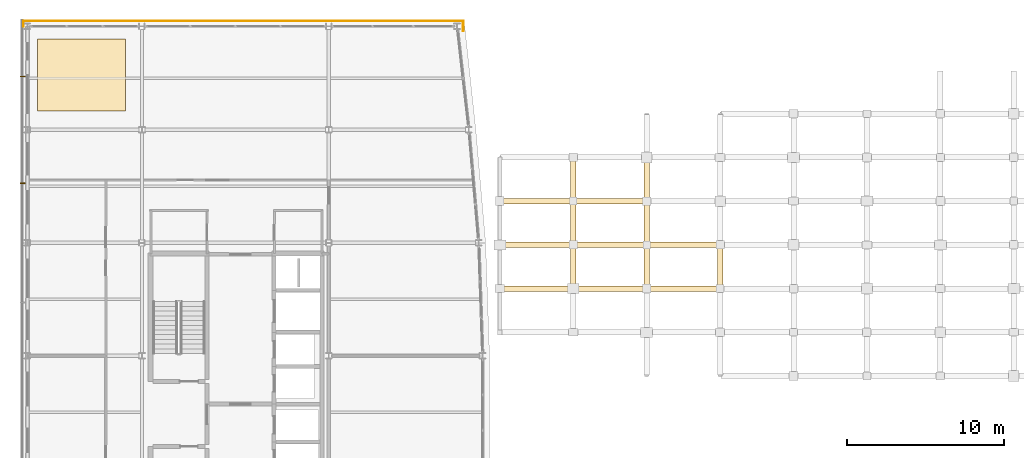
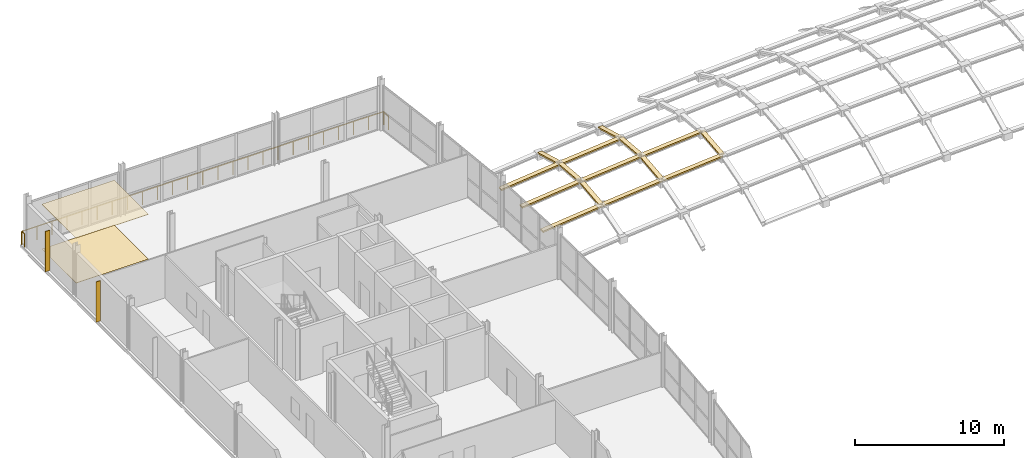
# One storey, part 32 of 36: 17 coverings, 2 shading devices, 1 railing.
"""IFC4 building model written with IfcOpenShell, lengths in metres."""

from ifc_helpers import new_model, si_unit, direction, frame, origin, origin_2d, place, context, subcontext, project, spatial, polyline, rectangle, circle, outline, extrude, material, layer, layer_set, type_object, element, save


model = new_model("IFC4")

# Units and contexts
model_context = context("Model", 3, precision=1e-05, world=origin(), true_north=direction((0.0, 1.0)))
body_context = subcontext(model_context, "Body", "Model", "MODEL_VIEW")
ifc_project = project(units=[si_unit("LENGTHUNIT", "METRE"), si_unit("AREAUNIT", "SQUARE_METRE"), si_unit("VOLUMEUNIT", "CUBIC_METRE"), si_unit("PLANEANGLEUNIT", "RADIAN"), si_unit("MASSUNIT", "GRAM", prefix="KILO")], contexts=[model_context])

# Site, building, storey
site_placement = place(None, origin())
site = spatial("IfcSite", under=ifc_project, at=site_placement, CompositionType="ELEMENT")
building_placement = place(site_placement, origin())
building = spatial("IfcBuilding", under=site, at=building_placement, Name="Quillay Park Conservatory", CompositionType="ELEMENT")
storey_placement = place(building_placement, frame((0.0, 0.0, 18.300048828125)))
storey = spatial("IfcBuildingStorey", under=building, at=storey_placement, Name="L04", CompositionType="ELEMENT", Elevation=18.300048828125)

# Coverings
ifc_material_1 = material(Name="Perforated Mineral-Fibre Acoustic Ceiling")
ifc_layer_1 = layer(ifc_material_1, 0.02490234375)
ifc_layer_set_1 = layer_set([ifc_layer_1], Name="ACOUSTIC MINERAL CEILING 25 (Perforated Mineral-Fibre Acoustic Ceiling)")
covering_type_1 = type_object("IfcCoveringType", Name="ACOUSTIC MINERAL CEILING 25", PredefinedType="CEILING", material=ifc_layer_set_1)
covering_1_placement = place(storey_placement, frame((0.0, 0.0, 3.661865234375)))
element("IfcCovering", 1, at=covering_1_placement, inside=storey, type_object=covering_type_1, Name="L04 Suspended Acoustic Ceiling", PredefinedType="CEILING", context=body_context, shape_type="SweptSolid", body=[
    extrude(outline(polyline([(1.199951171875, 108.0), (6.800048828125, 108.0), (6.800048828125, 112.60009765625), (1.199951171875, 112.60009765625), (1.199951171875, 108.0)])), origin(), (0.0, 0.0, 1.0), 0.025146484375),
])
ifc_material_2 = material(Name="Thermally Broken Anodised Aluminium 6063-T6", Category="aluminium")
ifc_layer_2 = layer(ifc_material_2, 0.090087890625)
ifc_layer_set_2 = layer_set([ifc_layer_2], Name="GRIDSHELL GLAZING CAP BAR 90 (Thermally Broken Anodised Aluminium 6063-T6)")
covering_type_2 = type_object("IfcCoveringType", Name="GRIDSHELL GLAZING CAP BAR 90", PredefinedType="CLADDING", material=ifc_layer_set_2)
covering_2_placement = place(storey_placement, frame((35.15283203125, 96.739990234375, 1.37841796875), z_axis=(0.0, -0.105607242225, 0.994407919513), x_axis=(1.0, 0.0, 0.0)))
element("IfcCovering", 2, at=covering_2_placement, inside=storey, type_object=covering_type_2, Name="Gridshell Transverse Glazing Cap Bar 01-04", PredefinedType="CLADDING", context=body_context, shape_type="SweptSolid", body=[
    extrude(outline(polyline([(0.0, 0.0), (0.349853515625, 0.0), (0.349853515625, 2.7001580951464286), (0.0, 2.7001580951464286), (0.0, 0.0)])), origin(), (0.0, 0.0, -1.0), 0.1201171875),
])
covering_3_placement = place(storey_placement, frame((35.15283203125, 99.52490234375, 1.66357421875), z_axis=(0.0, 0.086957947249, 0.996211983169), x_axis=(1.0, 0.0, 0.0)))
element("IfcCovering", 3, at=covering_3_placement, inside=storey, type_object=covering_type_2, Name="Gridshell Transverse Glazing Cap Bar 01-05", PredefinedType="CLADDING", context=body_context, shape_type="SweptSolid", body=[
    extrude(outline(polyline([(0.0, 0.0), (0.349853515625, 0.0), (0.349853515625, 2.6952683154921195), (0.0, 2.6952683154921195), (0.0, 0.0)])), origin(), (0.0, 0.0, -1.0), 0.1201171875),
])
covering_4_placement = place(storey_placement, frame((35.15283203125, 102.31005859375, 1.40966796875), z_axis=(0.0, 0.271622278609, 0.962403936901), x_axis=(1.0, 0.0, 0.0)))
element("IfcCovering", 4, at=covering_4_placement, inside=storey, type_object=covering_type_2, Name="Gridshell Transverse Glazing Cap Bar 01-06", PredefinedType="CLADDING", context=body_context, shape_type="SweptSolid", body=[
    extrude(outline(polyline([(0.0, 0.0), (0.349853515625, 0.0), (0.349853515625, 2.789949719444237), (0.0, 2.789949719444237), (0.0, 0.0)])), origin(), (0.0, 0.0, -1.0), 0.1201171875),
])
covering_5_placement = place(storey_placement, frame((39.83056640625, 96.739990234375, 1.81591796875), z_axis=(0.0, -0.105607242225, 0.994407919513), x_axis=(1.0, 0.0, 0.0)))
element("IfcCovering", 5, at=covering_5_placement, inside=storey, type_object=covering_type_2, Name="Gridshell Transverse Glazing Cap Bar 02-04", PredefinedType="CLADDING", context=body_context, shape_type="SweptSolid", body=[
    extrude(outline(polyline([(0.0, 0.0), (0.35009765625, 0.0), (0.35009765625, 2.7001580951464286), (0.0, 2.7001580951464286), (0.0, 0.0)])), origin(), (0.0, 0.0, -1.0), 0.1201171875),
])
covering_6_placement = place(storey_placement, frame((39.83056640625, 99.52490234375, 2.10107421875), z_axis=(0.0, 0.086957947249, 0.996211983169), x_axis=(1.0, 0.0, 0.0)))
element("IfcCovering", 6, at=covering_6_placement, inside=storey, type_object=covering_type_2, Name="Gridshell Transverse Glazing Cap Bar 02-05", PredefinedType="CLADDING", context=body_context, shape_type="SweptSolid", body=[
    extrude(outline(polyline([(0.0, 0.0), (0.35009765625, 0.0), (0.35009765625, 2.6952683154921195), (0.0, 2.6952683154921195), (0.0, 0.0)])), origin(), (0.0, 0.0, -1.0), 0.1201171875),
])
covering_7_placement = place(storey_placement, frame((39.83056640625, 102.31005859375, 1.84716796875), z_axis=(0.0, 0.271622278609, 0.962403936901), x_axis=(1.0, 0.0, 0.0)))
element("IfcCovering", 7, at=covering_7_placement, inside=storey, type_object=covering_type_2, Name="Gridshell Transverse Glazing Cap Bar 02-06", PredefinedType="CLADDING", context=body_context, shape_type="SweptSolid", body=[
    extrude(outline(polyline([(0.0, 0.0), (0.35009765625, 0.0), (0.35009765625, 2.789949719444237), (0.0, 2.789949719444237), (0.0, 0.0)])), origin(), (0.0, 0.0, -1.0), 0.1201171875),
])
covering_8_placement = place(storey_placement, frame((44.50830078125, 96.739990234375, 2.19482421875), z_axis=(0.0, -0.105607242225, 0.994407919513), x_axis=(1.0, 0.0, 0.0)))
element("IfcCovering", 8, at=covering_8_placement, inside=storey, type_object=covering_type_2, Name="Gridshell Transverse Glazing Cap Bar 03-04", PredefinedType="CLADDING", context=body_context, shape_type="SweptSolid", body=[
    extrude(outline(polyline([(0.0, 0.0), (0.35009765625, 0.0), (0.35009765625, 2.7001580951464286), (0.0, 2.7001580951464286), (0.0, 0.0)])), origin(), (0.0, 0.0, -1.0), 0.1201171875),
])
covering_9_placement = place(storey_placement, frame((30.699951171875, 96.514892578125, 0.88232421875), z_axis=(-0.105220344611, 0.0, 0.994448932364), x_axis=(0.994448932364, 0.0, 0.105220344611)))
element("IfcCovering", 9, at=covering_9_placement, inside=storey, type_object=covering_type_2, Name="Gridshell Longitudinal Glazing Cap Bar 00-04", PredefinedType="CLADDING", context=body_context, shape_type="SweptSolid", body=[
    extrude(outline(polyline([(0.0, 0.0), (4.603434837516112, 0.0), (4.603434837516112, 0.35009765625), (0.0, 0.35009765625), (0.0, 0.0)])), origin(), (0.0, 0.0, -1.0), 0.1201171875),
])
covering_10_placement = place(storey_placement, frame((35.377685546875, 96.514892578125, 1.37451171875), z_axis=(-0.093450911608, 0.0, 0.995623888383), x_axis=(0.995623888383, 0.0, 0.093450911608)))
element("IfcCovering", 10, at=covering_10_placement, inside=storey, type_object=covering_type_2, Name="Gridshell Longitudinal Glazing Cap Bar 01-04", PredefinedType="CLADDING", context=body_context, shape_type="SweptSolid", body=[
    extrude(outline(polyline([(0.0, 0.0), (4.5980022303483326, 0.0), (4.5980022303483326, 0.35009765624999994), (0.0, 0.35009765624999994), (0.0, 0.0)])), origin(), (0.0, 0.0, -1.0), 0.1201171875),
])
covering_11_placement = place(storey_placement, frame((40.0556640625, 96.514892578125, 1.81201171875), z_axis=(-0.080801595311, 0.0, 0.996730205319), x_axis=(0.996730205319, 0.0, 0.080801595311)))
element("IfcCovering", 11, at=covering_11_placement, inside=storey, type_object=covering_type_2, Name="Gridshell Longitudinal Glazing Cap Bar 02-04", PredefinedType="CLADDING", context=body_context, shape_type="SweptSolid", body=[
    extrude(outline(polyline([(0.0, 0.0), (4.592653753565289, 0.0), (4.592653753565289, 0.35009765625), (0.0, 0.35009765625), (0.0, 0.0)])), origin(), (0.0, 0.0, -1.0), 0.1201171875),
])
covering_12_placement = place(storey_placement, frame((30.699951171875, 99.300048828125, 1.17529296875), z_axis=(-0.105220344611, 0.0, 0.994448932364), x_axis=(0.994448932364, 0.0, 0.105220344611)))
element("IfcCovering", 12, at=covering_12_placement, inside=storey, type_object=covering_type_2, Name="Gridshell Longitudinal Glazing Cap Bar 00-05", PredefinedType="CLADDING", context=body_context, shape_type="SweptSolid", body=[
    extrude(outline(polyline([(0.0, 0.0), (4.603434837516112, 0.0), (4.603434837516112, 0.349853515625), (0.0, 0.349853515625), (0.0, 0.0)])), origin(), (0.0, 0.0, -1.0), 0.1201171875),
])
covering_13_placement = place(storey_placement, frame((35.377685546875, 99.300048828125, 1.66748046875), z_axis=(-0.093450911608, 0.0, 0.995623888383), x_axis=(0.995623888383, 0.0, 0.093450911608)))
element("IfcCovering", 13, at=covering_13_placement, inside=storey, type_object=covering_type_2, Name="Gridshell Longitudinal Glazing Cap Bar 01-05", PredefinedType="CLADDING", context=body_context, shape_type="SweptSolid", body=[
    extrude(outline(polyline([(0.0, 0.0), (4.5980022303483326, 0.0), (4.5980022303483326, 0.34985351562499994), (0.0, 0.34985351562499994), (0.0, 0.0)])), origin(), (0.0, 0.0, -1.0), 0.1201171875),
])
covering_14_placement = place(storey_placement, frame((40.0556640625, 99.300048828125, 2.10498046875), z_axis=(-0.080801595311, 0.0, 0.996730205319), x_axis=(0.996730205319, 0.0, 0.080801595311)))
element("IfcCovering", 14, at=covering_14_placement, inside=storey, type_object=covering_type_2, Name="Gridshell Longitudinal Glazing Cap Bar 02-05", PredefinedType="CLADDING", context=body_context, shape_type="SweptSolid", body=[
    extrude(outline(polyline([(0.0, 0.0), (4.592653753565289, 0.0), (4.592653753565289, 0.349853515625), (0.0, 0.349853515625), (0.0, 0.0)])), origin(), (0.0, 0.0, -1.0), 0.1201171875),
])
covering_15_placement = place(storey_placement, frame((30.699951171875, 102.0849609375, 0.92919921875), z_axis=(-0.105220344611, 0.0, 0.994448932364), x_axis=(0.994448932364, 0.0, 0.105220344611)))
element("IfcCovering", 15, at=covering_15_placement, inside=storey, type_object=covering_type_2, Name="Gridshell Longitudinal Glazing Cap Bar 00-06", PredefinedType="CLADDING", context=body_context, shape_type="SweptSolid", body=[
    extrude(outline(polyline([(0.0, 0.0), (4.603434837516112, 0.0), (4.603434837516112, 0.35009765625), (0.0, 0.35009765625), (0.0, 0.0)])), origin(), (0.0, 0.0, -1.0), 0.1201171875),
])
covering_16_placement = place(storey_placement, frame((35.377685546875, 102.0849609375, 1.42138671875), z_axis=(-0.093450911608, 0.0, 0.995623888383), x_axis=(0.995623888383, 0.0, 0.093450911608)))
element("IfcCovering", 16, at=covering_16_placement, inside=storey, type_object=covering_type_2, Name="Gridshell Longitudinal Glazing Cap Bar 01-06", PredefinedType="CLADDING", context=body_context, shape_type="SweptSolid", body=[
    extrude(outline(polyline([(0.0, 0.0), (4.5980022303483326, 0.0), (4.5980022303483326, 0.35009765624999994), (0.0, 0.35009765624999994), (0.0, 0.0)])), origin(), (0.0, 0.0, -1.0), 0.1201171875),
])
ifc_material_3 = material(Name="Seamless Chemical-Resistant Epoxy Flooring")
ifc_layer_3 = layer(ifc_material_3, 0.01806640625)
ifc_layer_set_3 = layer_set([ifc_layer_3], Name="SEAMLESS EPOXY LAB FLOORING 18 (Seamless Chemical-Resistant Epoxy Flooring)")
covering_type_3 = type_object("IfcCoveringType", Name="SEAMLESS EPOXY LAB FLOORING 18", PredefinedType="FLOORING", material=ifc_layer_set_3)
covering_17_placement = place(storey_placement, origin())
element("IfcCovering", 17, at=covering_17_placement, inside=storey, type_object=covering_type_3, Name="L04 Interior Flooring Finish", PredefinedType="FLOORING", context=body_context, shape_type="SweptSolid", body=[
    extrude(outline(polyline([(1.199951171875, 108.0), (6.800048828125, 108.0), (6.800048828125, 112.60009765625), (1.199951171875, 112.60009765625), (1.199951171875, 108.0)])), origin(), (0.0, 0.0, 1.0), 0.01806640625),
])

# Railing
ifc_material_4 = material(Name="Steel S355J2H", Category="steel")
railing_type = type_object("IfcRailingType", Name="TERRACE PERIMETER GUARDRAIL 1100", PredefinedType="GUARDRAIL", material=ifc_material_4)
railing_placement = place(storey_placement, frame((0.31005859375, 113.39990234375, 0.0)))
element("IfcRailing", 18, at=railing_placement, inside=storey, type_object=railing_type, Name="L04 Perimeter Safety Guardrail 026", PredefinedType="GUARDRAIL", context=body_context, shape_type="SweptSolid", body=[
    extrude(circle(Radius=0.02392578125, at=origin_2d()), frame((0.0, 0.0, 1.076171875), z_axis=(0.0, 1.0, 0.0), x_axis=(-1.0, 0.0, 0.0)), (0.0, 0.0, 1.0), 0.340087890625),
    extrude(circle(Radius=0.02392578125, at=origin_2d()), frame((0.0, 0.340087890625, 1.076171875), z_axis=(1.0, 0.0, 0.0), x_axis=(0.0, 1.0, 0.0)), (0.0, 0.0, 1.0), 28.0048828125),
    extrude(circle(Radius=0.02392578125, at=origin_2d()), frame((28.0048828125, 0.340087890625, 1.076171875), z_axis=(0.0, -1.0, 0.0), x_axis=(1.0, 0.0, 0.0)), (0.0, 0.0, 1.0), 0.639892578125),
    extrude(circle(Radius=0.02099609375, at=origin_2d()), origin(), (0.0, 0.0, 1.0), 1.052001953125),
    extrude(circle(Radius=0.02099609375, at=origin_2d()), frame((0.0, 0.340087890625, 0.0)), (0.0, 0.0, 1.0), 1.052001953125),
    extrude(circle(Radius=0.02099609375, at=origin_2d()), frame((1.1669921875, 0.340087890625, 0.0)), (0.0, 0.0, 1.0), 1.052001953125),
    extrude(circle(Radius=0.02099609375, at=origin_2d()), frame((2.333740234375, 0.340087890625, 0.0)), (0.0, 0.0, 1.0), 1.052001953125),
    extrude(circle(Radius=0.02099609375, at=origin_2d()), frame((3.50048828125, 0.340087890625, 0.0)), (0.0, 0.0, 1.0), 1.052001953125),
    extrude(circle(Radius=0.02099609375, at=origin_2d()), frame((4.66748046875, 0.340087890625, 0.0)), (0.0, 0.0, 1.0), 1.052001953125),
    extrude(circle(Radius=0.02099609375, at=origin_2d()), frame((5.83447265625, 0.340087890625, 0.0)), (0.0, 0.0, 1.0), 1.052001953125),
    extrude(circle(Radius=0.02099609375, at=origin_2d()), frame((7.001220703125, 0.340087890625, 0.0)), (0.0, 0.0, 1.0), 1.052001953125),
    extrude(circle(Radius=0.02099609375, at=origin_2d()), frame((8.16796875, 0.340087890625, 0.0)), (0.0, 0.0, 1.0), 1.052001953125),
    extrude(circle(Radius=0.02099609375, at=origin_2d()), frame((9.3349609375, 0.340087890625, 0.0)), (0.0, 0.0, 1.0), 1.052001953125),
    extrude(circle(Radius=0.02099609375, at=origin_2d()), frame((10.501953125, 0.340087890625, 0.0)), (0.0, 0.0, 1.0), 1.052001953125),
    extrude(circle(Radius=0.02099609375, at=origin_2d()), frame((11.668701171875, 0.340087890625, 0.0)), (0.0, 0.0, 1.0), 1.052001953125),
    extrude(circle(Radius=0.02099609375, at=origin_2d()), frame((12.83544921875, 0.340087890625, 0.0)), (0.0, 0.0, 1.0), 1.052001953125),
    extrude(circle(Radius=0.02099609375, at=origin_2d()), frame((14.00244140625, 0.340087890625, 0.0)), (0.0, 0.0, 1.0), 1.052001953125),
    extrude(circle(Radius=0.02099609375, at=origin_2d()), frame((15.169189453125, 0.340087890625, 0.0)), (0.0, 0.0, 1.0), 1.052001953125),
    extrude(circle(Radius=0.02099609375, at=origin_2d()), frame((16.336181640625, 0.340087890625, 0.0)), (0.0, 0.0, 1.0), 1.052001953125),
    extrude(circle(Radius=0.02099609375, at=origin_2d()), frame((17.5029296875, 0.340087890625, 0.0)), (0.0, 0.0, 1.0), 1.052001953125),
    extrude(circle(Radius=0.02099609375, at=origin_2d()), frame((18.669921875, 0.340087890625, 0.0)), (0.0, 0.0, 1.0), 1.052001953125),
    extrude(circle(Radius=0.02099609375, at=origin_2d()), frame((19.8369140625, 0.340087890625, 0.0)), (0.0, 0.0, 1.0), 1.052001953125),
    extrude(circle(Radius=0.02099609375, at=origin_2d()), frame((21.003662109375, 0.340087890625, 0.0)), (0.0, 0.0, 1.0), 1.052001953125),
    extrude(circle(Radius=0.02099609375, at=origin_2d()), frame((22.17041015625, 0.340087890625, 0.0)), (0.0, 0.0, 1.0), 1.052001953125),
    extrude(circle(Radius=0.02099609375, at=origin_2d()), frame((23.33740234375, 0.340087890625, 0.0)), (0.0, 0.0, 1.0), 1.052001953125),
    extrude(circle(Radius=0.02099609375, at=origin_2d()), frame((24.50439453125, 0.340087890625, 0.0)), (0.0, 0.0, 1.0), 1.052001953125),
    extrude(circle(Radius=0.02099609375, at=origin_2d()), frame((25.671142578125, 0.340087890625, 0.0)), (0.0, 0.0, 1.0), 1.052001953125),
    extrude(circle(Radius=0.02099609375, at=origin_2d()), frame((26.837890625, 0.340087890625, 0.0)), (0.0, 0.0, 1.0), 1.052001953125),
    extrude(circle(Radius=0.02099609375, at=origin_2d()), frame((28.0048828125, 0.340087890625, 0.0)), (0.0, 0.0, 1.0), 1.052001953125),
    extrude(circle(Radius=0.02099609375, at=origin_2d()), frame((28.0048828125, -0.2998046875, 0.0)), (0.0, 0.0, 1.0), 1.052001953125),
])

# Shading devices
ifc_material_5 = material(Name="Perforated Copper-Bronze Anodised Aluminium", Category="aluminium")
shading_device_type = type_object("IfcShadingDeviceType", Name="COPPER BRONZE SOLAR FIN", PredefinedType="USERDEFINED", material=ifc_material_5)
for number, where, z_axis, x_axis, name in (
    (19, (0.2548828125, 103.39990234375, 0.0), (0.0, 0.0, 1.0), (1.0, 0.0, 0.0), "L04 Perforated Copper-Bronze Solar Fin 014"),
    (20, (0.2548828125, 110.199951171875, 0.0), (0.0, 0.0, 1.0), (1.0, 0.0, 0.0), "L04 Perforated Copper-Bronze Solar Fin 015"),
):
    element("IfcShadingDevice", number, at=place(storey_placement, frame(where, z_axis=z_axis, x_axis=x_axis)), inside=storey, type_object=shading_device_type, Name=name, ObjectType="SOLAR FIN", PredefinedType="USERDEFINED", context=body_context, shape_type="SweptSolid", body=[
        extrude(rectangle(XDim=0.35009765625, YDim=0.054931640625, at=origin_2d()), origin(), (0.0, 0.0, 1.0), 3.300048828125),
    ])

save(model, "model.ifc")
